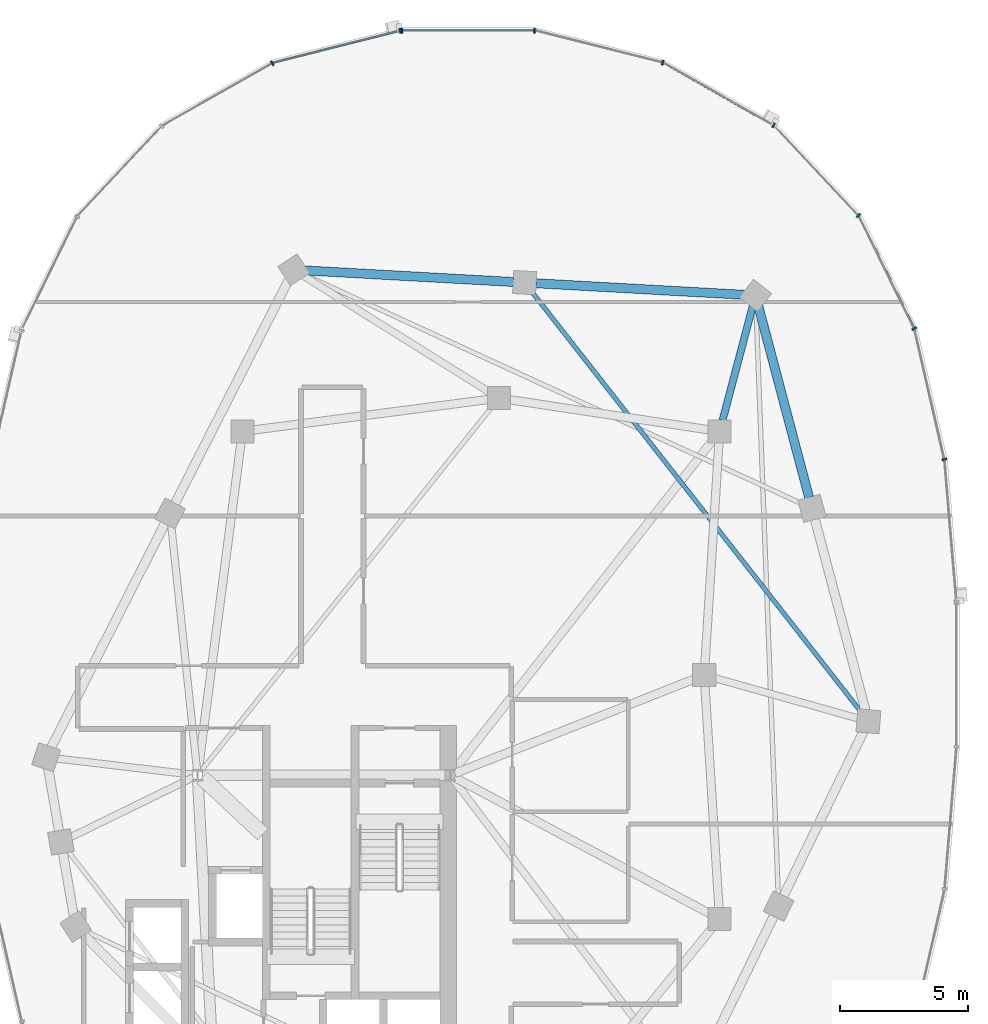
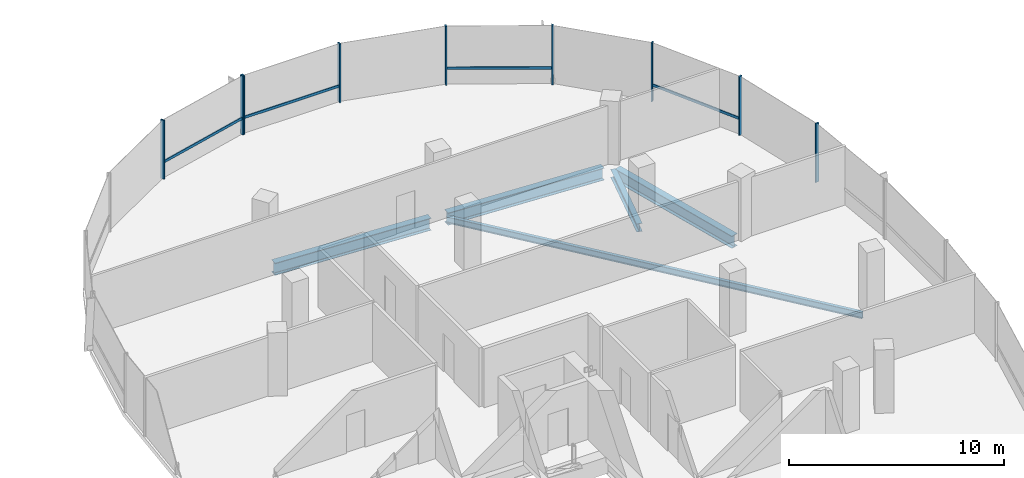
# One storey, part 12 of 25: 13 members, 5 beams, 2 elements without a shape of their own.
"""IFC4 building model written with IfcOpenShell, lengths in metres."""

from ifc_helpers import new_model, si_unit, direction, frame, origin, origin_2d, place, context, subcontext, project, spatial, rectangle, i_section, extrude, material, material_profile, profile_set, type_object, element, aggregate, save


model = new_model("IFC4")

# Units and contexts
model_context = context("Model", 3, precision=1e-05, world=origin(), true_north=direction((0.0, 1.0)))
body_context = subcontext(model_context, "Body", "Model", "MODEL_VIEW")
ifc_project = project(units=[si_unit("LENGTHUNIT", "METRE"), si_unit("AREAUNIT", "SQUARE_METRE"), si_unit("VOLUMEUNIT", "CUBIC_METRE"), si_unit("PLANEANGLEUNIT", "RADIAN"), si_unit("MASSUNIT", "GRAM", prefix="KILO"), si_unit("THERMODYNAMICTEMPERATUREUNIT", "KELVIN"), si_unit("POWERUNIT", "WATT")], contexts=[model_context])

# Site, building, storey
site_placement = place(None, origin())
site = spatial("IfcSite", under=ifc_project, at=site_placement, CompositionType="ELEMENT")
building_placement = place(site_placement, origin())
building = spatial("IfcBuilding", under=site, at=building_placement, Name="Cundina Bronze Exchange", CompositionType="ELEMENT")
storey_placement = place(building_placement, frame((0.0, 0.0, 220.60009765625)))
storey = spatial("IfcBuildingStorey", under=building, at=storey_placement, Name="L58", CompositionType="ELEMENT", Elevation=220.60009765625)

# Beams
ifc_material_1 = material(Name="Steel ASTM A992 Grade 50", Category="steel")
ifc_material_profile_1 = material_profile(ifc_material_1, i_section(OverallWidth=0.280029296875, OverallDepth=0.462890625, WebThickness=0.0107421875, FlangeThickness=0.017333984375, FilletRadius=0.011962890625, at=origin_2d()), Name="W18X76", Category="steel")
ifc_profile_set_1 = profile_set([ifc_material_profile_1], Name="Steel ASTM A992 Grade 50")
beam_type_1 = type_object("IfcBeamType", Name="BM-FLR-W18A", PredefinedType="BEAM", material=ifc_profile_set_1)
beam_1_placement = place(storey_placement, frame((41.911865234375, 9.923583984375, -0.49169921875), z_axis=(0.255398602339, 0.96683584642, 0.0), x_axis=(-0.96683584642, 0.255398602339, 0.0)))
element("IfcBeam", 1, at=beam_1_placement, inside=storey, type_object=beam_type_1, Name="L58 Leg E Chordal Floor Beam 10", PredefinedType="BEAM", context=body_context, shape_type="SweptSolid", body=[
    extrude(i_section(OverallWidth=0.280029296875, OverallDepth=0.462890625, WebThickness=0.0107421875, FlangeThickness=0.017333984375, FilletRadius=0.011962890625, at=origin_2d()), origin(), (0.0, 0.0, 1.0), 4.605712890625),
])
ifc_material_profile_2 = material_profile(ifc_material_1, i_section(OverallWidth=0.172119140625, OverallDepth=0.35791015625, WebThickness=0.0078125, FlangeThickness=0.01318359375, FilletRadius=0.010009765625, at=origin_2d()), Name="W14X38", Category="steel")
ifc_profile_set_2 = profile_set([ifc_material_profile_2], Name="Steel ASTM A992 Grade 50")
beam_type_2 = type_object("IfcBeamType", Name="BM-JST-W14", PredefinedType="JOIST", material=ifc_profile_set_2)
beam_2_placement = place(storey_placement, frame((47.329833984375, -1.455078125, -0.439208984375), z_axis=(-0.616810493522, 0.787111691618, 0.0), x_axis=(-0.787111691618, -0.616810493522, 0.0)))
element("IfcBeam", 2, at=beam_2_placement, inside=storey, type_object=beam_type_2, Name="L58 Leg E Lobe Floor Joist 08-11", PredefinedType="JOIST", context=body_context, shape_type="SweptSolid", body=[
    extrude(i_section(OverallWidth=0.172119140625, OverallDepth=0.35791015625, WebThickness=0.0078125, FlangeThickness=0.01318359375, FilletRadius=0.010009765625, at=origin_2d()), origin(), (0.0, 0.0, 1.0), 20.8486328125),
])
ifc_material_profile_3 = material_profile(ifc_material_1, i_section(OverallWidth=0.35498046875, OverallDepth=0.695068359375, WebThickness=0.015380859375, FlangeThickness=0.02490234375, FilletRadius=0.01806640625, at=origin_2d()), Name="W27X146", Category="steel")
ifc_profile_set_3 = profile_set([ifc_material_profile_3], Name="Steel ASTM A992 Grade 50")
beam_type_3 = type_object("IfcBeamType", Name="BM-RING-W27", PredefinedType="USERDEFINED", material=ifc_profile_set_3)
beam_3_placement = place(storey_placement, frame((45.287841796875, 6.92333984375, -0.607666015625), z_axis=(-0.256211934474, 0.966620631185, 0.0), x_axis=(-0.966620631185, -0.256211934474, 0.0)))
element("IfcBeam", 3, at=beam_3_placement, inside=storey, type_object=beam_type_3, Name="L58 E Perimeter Ring Girder 09", ObjectType="GIRDER", PredefinedType="USERDEFINED", context=body_context, shape_type="SweptSolid", body=[
    extrude(i_section(OverallWidth=0.35498046875, OverallDepth=0.695068359375, WebThickness=0.015380859375, FlangeThickness=0.02490234375, FilletRadius=0.01806640625, at=origin_2d()), origin(), (0.0, 0.0, 1.0), 7.710693359375),
])
for number, where, z_axis, x_axis, name in (
    (4, (42.7626953125, 14.82421875, -0.607666015625), (-0.998460353205, 0.055470019623, 0.0), (-0.055470019623, -0.998460353205, 0.0), "L58 E Perimeter Ring Girder 10"),
    (5, (33.7626953125, 15.32421875, -0.607666015625), (-0.998460353205, 0.055470019623, 0.0), (-0.055470019623, -0.998460353205, 0.0), "L58 E Perimeter Ring Girder 11"),
):
    element("IfcBeam", number, at=place(storey_placement, frame(where, z_axis=z_axis, x_axis=x_axis)), inside=storey, type_object=beam_type_3, Name=name, ObjectType="GIRDER", PredefinedType="USERDEFINED", context=body_context, shape_type="SweptSolid", body=[
        extrude(i_section(OverallWidth=0.35498046875, OverallDepth=0.695068359375, WebThickness=0.015380859375, FlangeThickness=0.02490234375, FilletRadius=0.01806640625, at=origin_2d()), origin(), (0.0, 0.0, 1.0), 8.137939453125),
    ])

# Curtain wall, members
ifc_material_2 = material(Name="Anodised Bronze Aluminium 6063-T6", Category="aluminium")
curtain_wall_type = type_object("IfcCurtainWallType", Name="CWS-UPP-OFF", PredefinedType="NOTDEFINED", material=ifc_material_2)
curtain_wall_1_placement = place(storey_placement, origin())
curtain_wall_1 = element("IfcCurtainWall", 6, at=curtain_wall_1_placement, inside=storey, type_object=curtain_wall_type, Name="L58 CW-05 Curtain Wall Run CWR-L58-E1", PredefinedType="NOTDEFINED")
ifc_material_profile_4 = material_profile(ifc_material_2, rectangle(XDim=0.070068359375, YDim=0.18994140625, at=origin_2d()), Name="AL70X190", Category="aluminium")
ifc_profile_set_4 = profile_set([ifc_material_profile_4], Name="Anodised Bronze Aluminium 6063-T6")
member_type_1 = type_object("IfcMemberType", Name="CWM-MUL-190", PredefinedType="MULLION", material=ifc_profile_set_4)
member_1_placement = place(storey_placement, frame((50.56005859375, 8.4111328125, 0.0), z_axis=(0.0, 0.0, 1.0), x_axis=(-0.223250116011, 0.974761194191, 0.0)))
member_1 = element("IfcMember", 7, at=member_1_placement, type_object=member_type_1, Name="CW-05 Mullion 2", PredefinedType="MULLION", context=body_context, shape_type="SweptSolid", body=[
    extrude(rectangle(XDim=0.070068359375, YDim=0.18994140625, at=origin_2d()), origin(), (0.0, 0.0, 1.0), 3.33984375),
])
member_2_placement = place(storey_placement, frame((49.38427734375, 13.50732421875, 0.0), z_axis=(0.0, 0.0, 1.0), x_axis=(-0.440566004113, 0.897720221461, 0.0)))
member_2 = element("IfcMember", 8, at=member_2_placement, type_object=member_type_1, Name="CW-05 Mullion 3", PredefinedType="MULLION", context=body_context, shape_type="SweptSolid", body=[
    extrude(rectangle(XDim=0.070068359375, YDim=0.18994140625, at=origin_2d()), origin(), (0.0, 0.0, 1.0), 3.33984375),
])
member_3_placement = place(storey_placement, frame((47.209716796875, 17.91796875, 0.0), z_axis=(0.0, 0.0, 1.0), x_axis=(-0.684292606175, 0.729207535023, 0.0)))
member_3 = element("IfcMember", 9, at=member_3_placement, type_object=member_type_1, Name="CW-05 Mullion 4", PredefinedType="MULLION", context=body_context, shape_type="SweptSolid", body=[
    extrude(rectangle(XDim=0.070068359375, YDim=0.18994140625, at=origin_2d()), origin(), (0.0, 0.0, 1.0), 3.33984375),
])
member_4_placement = place(storey_placement, frame((43.899658203125, 21.43115234375, 0.0), z_axis=(0.0, 0.0, 1.0), x_axis=(-0.86958112538, 0.493790103568, 0.0)))
member_4 = element("IfcMember", 10, at=member_4_placement, type_object=member_type_1, Name="CW-05 Mullion 5", PredefinedType="MULLION", context=body_context, shape_type="SweptSolid", body=[
    extrude(rectangle(XDim=0.070068359375, YDim=0.18994140625, at=origin_2d()), origin(), (0.0, 0.0, 1.0), 3.33984375),
])
member_5_placement = place(storey_placement, frame((39.577392578125, 23.87548828125, 0.0), z_axis=(0.0, 0.0, 1.0), x_axis=(-0.969744325821, 0.244122802168, 0.0)))
member_5 = element("IfcMember", 11, at=member_5_placement, type_object=member_type_1, Name="CW-05 Mullion 6", PredefinedType="MULLION", context=body_context, shape_type="SweptSolid", body=[
    extrude(rectangle(XDim=0.070068359375, YDim=0.18994140625, at=origin_2d()), origin(), (0.0, 0.0, 1.0), 3.33984375),
])
member_6_placement = place(storey_placement, frame((34.580078125, 25.125, 0.0), z_axis=(0.0, 0.0, 1.0), x_axis=(-1.0, 0.0, 0.0)))
member_6 = element("IfcMember", 12, at=member_6_placement, type_object=member_type_1, Name="CW-05 Mullion 7", PredefinedType="MULLION", context=body_context, shape_type="SweptSolid", body=[
    extrude(rectangle(XDim=0.070068359375, YDim=0.18994140625, at=origin_2d()), origin(), (0.0, 0.0, 1.0), 3.33984375),
])
member_7_placement = place(storey_placement, frame((29.419921875, 25.125, 0.0), z_axis=(0.0, 0.0, 1.0), x_axis=(-1.0, 0.0, 0.0)))
member_7 = element("IfcMember", 13, at=member_7_placement, type_object=member_type_1, Name="CW-05 End Mullion", PredefinedType="MULLION", context=body_context, shape_type="SweptSolid", body=[
    extrude(rectangle(XDim=0.070068359375, YDim=0.18994140625, at=origin_2d()), origin(), (0.0, 0.0, 1.0), 3.33984375),
])

curtain_wall_2_placement = place(storey_placement, origin())
curtain_wall_2 = element("IfcCurtainWall", 14, at=curtain_wall_2_placement, inside=storey, type_object=curtain_wall_type, Name="L58 CW-05 Curtain Wall Run CWR-L58-E2", PredefinedType="NOTDEFINED")
member_8_placement = place(storey_placement, frame((29.3515625, 25.116455078125, 0.0), z_axis=(0.0, 0.0, 1.0), x_axis=(-0.969744325821, -0.244122802168, 0.0)))
member_8 = element("IfcMember", 15, at=member_8_placement, type_object=member_type_1, Name="CW-05 Mullion 1", PredefinedType="MULLION", context=body_context, shape_type="SweptSolid", body=[
    extrude(rectangle(XDim=0.070068359375, YDim=0.18994140625, at=origin_2d()), origin(), (0.0, 0.0, 1.0), 3.33984375),
])
member_9_placement = place(storey_placement, frame((24.361083984375, 23.850830078125, 0.0), z_axis=(0.0, 0.0, 1.0), x_axis=(-0.86958112538, -0.493790103568, 0.0)))
member_9 = element("IfcMember", 16, at=member_9_placement, type_object=member_type_1, Name="CW-05 Mullion 2", PredefinedType="MULLION", context=body_context, shape_type="SweptSolid", body=[
    extrude(rectangle(XDim=0.070068359375, YDim=0.18994140625, at=origin_2d()), origin(), (0.0, 0.0, 1.0), 3.33984375),
])

# Member
ifc_material_profile_5 = material_profile(ifc_material_2, rectangle(XDim=0.06494140625, YDim=0.14990234375, at=origin_2d()), Name="AL65X150", Category="aluminium")
ifc_profile_set_5 = profile_set([ifc_material_profile_5], Name="Anodised Bronze Aluminium 6063-T6")
member_type_2 = type_object("IfcMemberType", Name="CWM-TRN-150", PredefinedType="USERDEFINED", material=ifc_profile_set_5)
member_10_placement = place(storey_placement, frame((49.3671875, 13.5419921875, 0.919921875), z_axis=(-0.440483110889, 0.897760897467, 0.0), x_axis=(-0.897760897467, -0.440483110889, 0.0)))
member_10 = element("IfcMember", 17, at=member_10_placement, type_object=member_type_2, Name="CW-05 Spandrel Transom 3", ObjectType="TRANSOM", PredefinedType="USERDEFINED", context=body_context, shape_type="SweptSolid", body=[
    extrude(rectangle(XDim=0.06494140625, YDim=0.14990234375, at=origin_2d()), origin(), (0.0, 0.0, 1.0), 4.855224609375),
])

member_11_placement = place(storey_placement, frame((43.8662109375, 21.4501953125, 0.919921875), z_axis=(-0.869573748083, 0.493803095013, 0.0), x_axis=(-0.493803095013, -0.869573748083, 0.0)))
member_11 = element("IfcMember", 18, at=member_11_placement, type_object=member_type_2, Name="CW-05 Spandrel Transom 5", ObjectType="TRANSOM", PredefinedType="USERDEFINED", context=body_context, shape_type="SweptSolid", body=[
    extrude(rectangle(XDim=0.06494140625, YDim=0.14990234375, at=origin_2d()), origin(), (0.0, 0.0, 1.0), 4.900146484375),
])

member_12_placement = place(storey_placement, frame((34.54150390625, 25.125, 0.919921875), z_axis=(-1.0, 0.0, 0.0), x_axis=(0.0, -1.0, 0.0)))
member_12 = element("IfcMember", 19, at=member_12_placement, type_object=member_type_2, Name="CW-05 Spandrel Transom 7", ObjectType="TRANSOM", PredefinedType="USERDEFINED", context=body_context, shape_type="SweptSolid", body=[
    extrude(rectangle(XDim=0.06494140625, YDim=0.14990234375, at=origin_2d()), origin(), (0.0, 0.0, 1.0), 5.0830078125),
])

aggregate(curtain_wall_1, [member_1, member_2, member_10, member_3, member_4, member_11, member_5, member_6, member_7, member_12])

member_13_placement = place(storey_placement, frame((29.314208984375, 25.107177734375, 0.919921875), z_axis=(-0.969725738797, -0.244196624699, 0.0), x_axis=(0.244196624699, -0.969725738797, 0.0)))
member_13 = element("IfcMember", 20, at=member_13_placement, type_object=member_type_2, Name="CW-05 Spandrel Transom 1", ObjectType="TRANSOM", PredefinedType="USERDEFINED", context=body_context, shape_type="SweptSolid", body=[
    extrude(rectangle(XDim=0.06494140625, YDim=0.14990234375, at=origin_2d()), origin(), (0.0, 0.0, 1.0), 5.082763671875),
])

aggregate(curtain_wall_2, [member_8, member_13, member_9])

save(model, "model.ifc")
